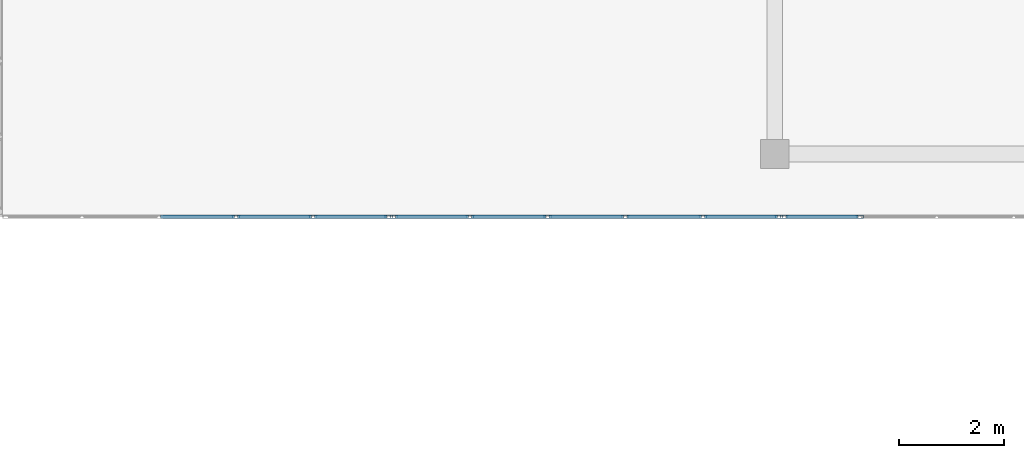
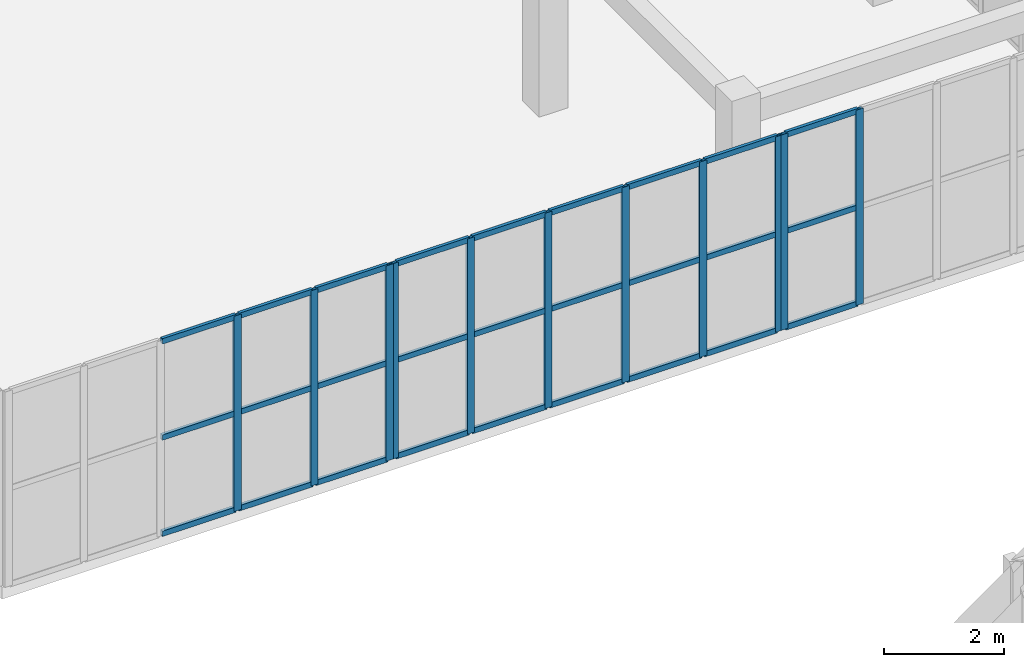
# One storey, part 41 of 140: 38 members, 3 elements without a shape of their own.
"""IFC4 building model written with IfcOpenShell, lengths in metres."""

from ifc_helpers import new_model, si_unit, direction, frame, origin, origin_2d, place, context, subcontext, project, spatial, hollow_rectangle, extrude, material, layer, layer_set, material_profile, profile_set, type_object, element, aggregate, save


model = new_model("IFC4")

# Units and contexts
model_context = context("Model", 3, precision=1e-05, world=origin(), true_north=direction((0.0, 1.0)))
body_context = subcontext(model_context, "Body", "Model", "MODEL_VIEW")
ifc_project = project(units=[si_unit("LENGTHUNIT", "METRE"), si_unit("AREAUNIT", "SQUARE_METRE"), si_unit("VOLUMEUNIT", "CUBIC_METRE"), si_unit("PLANEANGLEUNIT", "RADIAN"), si_unit("MASSUNIT", "GRAM", prefix="KILO")], contexts=[model_context])

# Site, building, storey
site_placement = place(None, origin())
site = spatial("IfcSite", under=ifc_project, at=site_placement, CompositionType="ELEMENT")
building_placement = place(site_placement, origin())
building = spatial("IfcBuilding", under=site, at=building_placement, Name="Trelvath General Hospital", CompositionType="ELEMENT")
storey_placement = place(building_placement, frame((0.0, 0.0, 16.199951171875)))
storey = spatial("IfcBuildingStorey", under=building, at=storey_placement, Name="L04", CompositionType="ELEMENT", Elevation=16.199951171875)

# Curtain wall, members
ifc_material_1 = material(Name="Anodised aluminium and low-E glass", Category="aluminium")
ifc_layer_1 = layer(ifc_material_1, 0.139892578125)
ifc_layer_set_1 = layer_set([ifc_layer_1], Name="Anodised aluminium and low-E glass")
curtain_wall_type_1 = type_object("IfcCurtainWallType", Name="CW CrystalCube 737 396 14", PredefinedType="USERDEFINED", material=ifc_layer_set_1)
curtain_wall_1_placement = place(storey_placement, origin())
curtain_wall_1 = element("IfcCurtainWall", 1, at=curtain_wall_1_placement, inside=storey, type_object=curtain_wall_type_1, Name="Crystal Cube Curtain Wall CUBE-E-T1 S1 L04", ObjectType="Unitised Glazed Curtain Wall", PredefinedType="USERDEFINED")
ifc_material_2 = material(Name="Anodised aluminium", Category="aluminium")
ifc_material_profile_1 = material_profile(ifc_material_2, hollow_rectangle(XDim=0.06005859375, YDim=0.139892578125, WallThickness=0.00390625, at=origin_2d()), Name="RHS60x140x4")
ifc_profile_set_1 = profile_set([ifc_material_profile_1], Name="Anodised aluminium")
member_type_1 = type_object("IfcMemberType", Name="CurtainMullion 60x140", PredefinedType="MULLION", material=ifc_profile_set_1)
member_1_placement = place(storey_placement, frame((99.816650390625, 37.199951171875, 0.0), z_axis=(0.0, 0.0, 1.0), x_axis=(0.0, -1.0, 0.0)))
member_1 = element("IfcMember", 2, at=member_1_placement, type_object=member_type_1, Name="CW-282 mullion 1", PredefinedType="MULLION", context=body_context, shape_type="SweptSolid", body=[
    extrude(hollow_rectangle(XDim=0.06005859375, YDim=0.139892578125, WallThickness=0.00390625, at=origin_2d()), origin(), (0.0, 0.0, 1.0), 3.9599609375),
])
member_2_placement = place(storey_placement, frame((98.373291015625, 37.199951171875, 0.0), z_axis=(0.0, 0.0, 1.0), x_axis=(0.0, -1.0, 0.0)))
member_2 = element("IfcMember", 3, at=member_2_placement, type_object=member_type_1, Name="CW-282 mullion 2", PredefinedType="MULLION", context=body_context, shape_type="SweptSolid", body=[
    extrude(hollow_rectangle(XDim=0.06005859375, YDim=0.139892578125, WallThickness=0.00390625, at=origin_2d()), origin(), (0.0, 0.0, 1.0), 3.9599609375),
])
member_3_placement = place(storey_placement, frame((96.89990234375, 37.199951171875, 0.0), z_axis=(0.0, 0.0, 1.0), x_axis=(0.0, -1.0, 0.0)))
member_3 = element("IfcMember", 4, at=member_3_placement, type_object=member_type_1, Name="CW-282 mullion 3", PredefinedType="MULLION", context=body_context, shape_type="SweptSolid", body=[
    extrude(hollow_rectangle(XDim=0.06005859375, YDim=0.139892578125, WallThickness=0.00390625, at=origin_2d()), origin(), (0.0, 0.0, 1.0), 3.9599609375),
])

ifc_material_3 = material(Name="Anodised aluminium and low-E glass", Category="aluminium")
ifc_layer_2 = layer(ifc_material_3, 0.139892578125)
ifc_layer_set_2 = layer_set([ifc_layer_2], Name="Anodised aluminium and low-E glass")
curtain_wall_type_2 = type_object("IfcCurtainWallType", Name="CW CrystalCube 743 396 14", PredefinedType="USERDEFINED", material=ifc_layer_set_2)
curtain_wall_2_placement = place(storey_placement, origin())
curtain_wall_2 = element("IfcCurtainWall", 5, at=curtain_wall_2_placement, inside=storey, type_object=curtain_wall_type_2, Name="Crystal Cube Curtain Wall CUBE-E-T1 S2 L04", ObjectType="Unitised Glazed Curtain Wall", PredefinedType="USERDEFINED")
member_4_placement = place(storey_placement, frame((107.283203125, 37.199951171875, 0.0), z_axis=(0.0, 0.0, 1.0), x_axis=(0.0, -1.0, 0.0)))
member_4 = element("IfcMember", 6, at=member_4_placement, type_object=member_type_1, Name="CW-283 mullion 1", PredefinedType="MULLION", context=body_context, shape_type="SweptSolid", body=[
    extrude(hollow_rectangle(XDim=0.06005859375, YDim=0.139892578125, WallThickness=0.00390625, at=origin_2d()), origin(), (0.0, 0.0, 1.0), 3.9599609375),
])
member_5_placement = place(storey_placement, frame((105.827880859375, 37.199951171875, 0.0), z_axis=(0.0, 0.0, 1.0), x_axis=(0.0, -1.0, 0.0)))
member_5 = element("IfcMember", 7, at=member_5_placement, type_object=member_type_1, Name="CW-283 mullion 2", PredefinedType="MULLION", context=body_context, shape_type="SweptSolid", body=[
    extrude(hollow_rectangle(XDim=0.06005859375, YDim=0.139892578125, WallThickness=0.00390625, at=origin_2d()), origin(), (0.0, 0.0, 1.0), 3.9599609375),
])
member_6_placement = place(storey_placement, frame((104.3427734375, 37.199951171875, 0.0), z_axis=(0.0, 0.0, 1.0), x_axis=(0.0, -1.0, 0.0)))
member_6 = element("IfcMember", 8, at=member_6_placement, type_object=member_type_1, Name="CW-283 mullion 3", PredefinedType="MULLION", context=body_context, shape_type="SweptSolid", body=[
    extrude(hollow_rectangle(XDim=0.06005859375, YDim=0.139892578125, WallThickness=0.00390625, at=origin_2d()), origin(), (0.0, 0.0, 1.0), 3.9599609375),
])
member_7_placement = place(storey_placement, frame((102.857421875, 37.199951171875, 0.0), z_axis=(0.0, 0.0, 1.0), x_axis=(0.0, -1.0, 0.0)))
member_7 = element("IfcMember", 9, at=member_7_placement, type_object=member_type_1, Name="CW-283 mullion 4", PredefinedType="MULLION", context=body_context, shape_type="SweptSolid", body=[
    extrude(hollow_rectangle(XDim=0.06005859375, YDim=0.139892578125, WallThickness=0.00390625, at=origin_2d()), origin(), (0.0, 0.0, 1.0), 3.9599609375),
])
member_8_placement = place(storey_placement, frame((101.3720703125, 37.199951171875, 0.0), z_axis=(0.0, 0.0, 1.0), x_axis=(0.0, -1.0, 0.0)))
member_8 = element("IfcMember", 10, at=member_8_placement, type_object=member_type_1, Name="CW-283 mullion 5", PredefinedType="MULLION", context=body_context, shape_type="SweptSolid", body=[
    extrude(hollow_rectangle(XDim=0.06005859375, YDim=0.139892578125, WallThickness=0.00390625, at=origin_2d()), origin(), (0.0, 0.0, 1.0), 3.9599609375),
])
member_9_placement = place(storey_placement, frame((99.916748046875, 37.199951171875, 0.0), z_axis=(0.0, 0.0, 1.0), x_axis=(0.0, -1.0, 0.0)))
member_9 = element("IfcMember", 11, at=member_9_placement, type_object=member_type_1, Name="CW-283 mullion 6", PredefinedType="MULLION", context=body_context, shape_type="SweptSolid", body=[
    extrude(hollow_rectangle(XDim=0.06005859375, YDim=0.139892578125, WallThickness=0.00390625, at=origin_2d()), origin(), (0.0, 0.0, 1.0), 3.9599609375),
])

curtain_wall_3_placement = place(storey_placement, origin())
curtain_wall_3 = element("IfcCurtainWall", 12, at=curtain_wall_3_placement, inside=storey, type_object=curtain_wall_type_1, Name="Crystal Cube Curtain Wall CUBE-E-T1 S3 L04", ObjectType="Unitised Glazed Curtain Wall", PredefinedType="USERDEFINED")
member_10_placement = place(storey_placement, frame((108.82666015625, 37.199951171875, 0.0), z_axis=(0.0, 0.0, 1.0), x_axis=(0.0, -1.0, 0.0)))
member_10 = element("IfcMember", 13, at=member_10_placement, type_object=member_type_1, Name="CW-284 mullion 5", PredefinedType="MULLION", context=body_context, shape_type="SweptSolid", body=[
    extrude(hollow_rectangle(XDim=0.06005859375, YDim=0.139892578125, WallThickness=0.00390625, at=origin_2d()), origin(), (0.0, 0.0, 1.0), 3.9599609375),
])
member_11_placement = place(storey_placement, frame((107.38330078125, 37.199951171875, 0.0), z_axis=(0.0, 0.0, 1.0), x_axis=(0.0, -1.0, 0.0)))
member_11 = element("IfcMember", 14, at=member_11_placement, type_object=member_type_1, Name="CW-284 mullion 6", PredefinedType="MULLION", context=body_context, shape_type="SweptSolid", body=[
    extrude(hollow_rectangle(XDim=0.06005859375, YDim=0.139892578125, WallThickness=0.00390625, at=origin_2d()), origin(), (0.0, 0.0, 1.0), 3.9599609375),
])

# Member
ifc_material_4 = material(Name="Anodised aluminium", Category="aluminium")
ifc_material_profile_2 = material_profile(ifc_material_4, hollow_rectangle(XDim=0.06005859375, YDim=0.110107421875, WallThickness=0.00390625, at=origin_2d()), Name="RHS60x110x4")
ifc_profile_set_2 = profile_set([ifc_material_profile_2], Name="Anodised aluminium")
member_type_2 = type_object("IfcMemberType", Name="CurtainTransom 60x110", PredefinedType="USERDEFINED", material=ifc_profile_set_2)
member_12_placement = place(storey_placement, frame((99.78662109375, 37.199951171875, 0.030029296875), z_axis=(-1.0, 0.0, 0.0), x_axis=(0.0, -1.0, 0.0)))
member_12 = element("IfcMember", 15, at=member_12_placement, type_object=member_type_2, Name="CW-282 transom 1.1", ObjectType="TRANSOM", PredefinedType="USERDEFINED", context=body_context, shape_type="SweptSolid", body=[
    extrude(hollow_rectangle(XDim=0.06005859375, YDim=0.110107421875, WallThickness=0.00390625, at=origin_2d()), origin(), (0.0, 0.0, 1.0), 1.38330078125),
])

member_13_placement = place(storey_placement, frame((99.78662109375, 37.199951171875, 1.97998046875), z_axis=(-1.0, 0.0, 0.0), x_axis=(0.0, -1.0, 0.0)))
member_13 = element("IfcMember", 16, at=member_13_placement, type_object=member_type_2, Name="CW-282 transom 1.2", ObjectType="TRANSOM", PredefinedType="USERDEFINED", context=body_context, shape_type="SweptSolid", body=[
    extrude(hollow_rectangle(XDim=0.06005859375, YDim=0.110107421875, WallThickness=0.00390625, at=origin_2d()), origin(), (0.0, 0.0, 1.0), 1.38330078125),
])

member_14_placement = place(storey_placement, frame((99.78662109375, 37.199951171875, 3.929931640625), z_axis=(-1.0, 0.0, 0.0), x_axis=(0.0, -1.0, 0.0)))
member_14 = element("IfcMember", 17, at=member_14_placement, type_object=member_type_2, Name="CW-282 transom 1.3", ObjectType="TRANSOM", PredefinedType="USERDEFINED", context=body_context, shape_type="SweptSolid", body=[
    extrude(hollow_rectangle(XDim=0.06005859375, YDim=0.110107421875, WallThickness=0.00390625, at=origin_2d()), origin(), (0.0, 0.0, 1.0), 1.38330078125),
])

member_15_placement = place(storey_placement, frame((98.34326171875, 37.199951171875, 0.030029296875), z_axis=(-1.0, 0.0, 0.0), x_axis=(0.0, -1.0, 0.0)))
member_15 = element("IfcMember", 18, at=member_15_placement, type_object=member_type_2, Name="CW-282 transom 2.1", ObjectType="TRANSOM", PredefinedType="USERDEFINED", context=body_context, shape_type="SweptSolid", body=[
    extrude(hollow_rectangle(XDim=0.06005859375, YDim=0.110107421875, WallThickness=0.00390625, at=origin_2d()), origin(), (0.0, 0.0, 1.0), 1.413330078125),
])

member_16_placement = place(storey_placement, frame((98.34326171875, 37.199951171875, 1.97998046875), z_axis=(-1.0, 0.0, 0.0), x_axis=(0.0, -1.0, 0.0)))
member_16 = element("IfcMember", 19, at=member_16_placement, type_object=member_type_2, Name="CW-282 transom 2.2", ObjectType="TRANSOM", PredefinedType="USERDEFINED", context=body_context, shape_type="SweptSolid", body=[
    extrude(hollow_rectangle(XDim=0.06005859375, YDim=0.110107421875, WallThickness=0.00390625, at=origin_2d()), origin(), (0.0, 0.0, 1.0), 1.413330078125),
])

member_17_placement = place(storey_placement, frame((98.34326171875, 37.199951171875, 3.929931640625), z_axis=(-1.0, 0.0, 0.0), x_axis=(0.0, -1.0, 0.0)))
member_17 = element("IfcMember", 20, at=member_17_placement, type_object=member_type_2, Name="CW-282 transom 2.3", ObjectType="TRANSOM", PredefinedType="USERDEFINED", context=body_context, shape_type="SweptSolid", body=[
    extrude(hollow_rectangle(XDim=0.06005859375, YDim=0.110107421875, WallThickness=0.00390625, at=origin_2d()), origin(), (0.0, 0.0, 1.0), 1.413330078125),
])

member_18_placement = place(storey_placement, frame((96.8701171875, 37.199951171875, 0.030029296875), z_axis=(-1.0, 0.0, 0.0), x_axis=(0.0, -1.0, 0.0)))
member_18 = element("IfcMember", 21, at=member_18_placement, type_object=member_type_2, Name="CW-282 transom 3.1", ObjectType="TRANSOM", PredefinedType="USERDEFINED", context=body_context, shape_type="SweptSolid", body=[
    extrude(hollow_rectangle(XDim=0.06005859375, YDim=0.110107421875, WallThickness=0.00390625, at=origin_2d()), origin(), (0.0, 0.0, 1.0), 1.413330078125),
])

member_19_placement = place(storey_placement, frame((96.8701171875, 37.199951171875, 1.97998046875), z_axis=(-1.0, 0.0, 0.0), x_axis=(0.0, -1.0, 0.0)))
member_19 = element("IfcMember", 22, at=member_19_placement, type_object=member_type_2, Name="CW-282 transom 3.2", ObjectType="TRANSOM", PredefinedType="USERDEFINED", context=body_context, shape_type="SweptSolid", body=[
    extrude(hollow_rectangle(XDim=0.06005859375, YDim=0.110107421875, WallThickness=0.00390625, at=origin_2d()), origin(), (0.0, 0.0, 1.0), 1.413330078125),
])

member_20_placement = place(storey_placement, frame((96.8701171875, 37.199951171875, 3.929931640625), z_axis=(-1.0, 0.0, 0.0), x_axis=(0.0, -1.0, 0.0)))
member_20 = element("IfcMember", 23, at=member_20_placement, type_object=member_type_2, Name="CW-282 transom 3.3", ObjectType="TRANSOM", PredefinedType="USERDEFINED", context=body_context, shape_type="SweptSolid", body=[
    extrude(hollow_rectangle(XDim=0.06005859375, YDim=0.110107421875, WallThickness=0.00390625, at=origin_2d()), origin(), (0.0, 0.0, 1.0), 1.413330078125),
])

aggregate(curtain_wall_1, [member_1, member_2, member_3, member_12, member_13, member_14, member_15, member_16, member_17, member_18, member_19, member_20])

member_21_placement = place(storey_placement, frame((107.25341796875, 37.199951171875, 0.030029296875), z_axis=(-1.0, 0.0, 0.0), x_axis=(0.0, -1.0, 0.0)))
member_21 = element("IfcMember", 24, at=member_21_placement, type_object=member_type_2, Name="CW-283 transom 1.1", ObjectType="TRANSOM", PredefinedType="USERDEFINED", context=body_context, shape_type="SweptSolid", body=[
    extrude(hollow_rectangle(XDim=0.06005859375, YDim=0.110107421875, WallThickness=0.00390625, at=origin_2d()), origin(), (0.0, 0.0, 1.0), 1.3955078125),
])

member_22_placement = place(storey_placement, frame((107.25341796875, 37.199951171875, 1.97998046875), z_axis=(-1.0, 0.0, 0.0), x_axis=(0.0, -1.0, 0.0)))
member_22 = element("IfcMember", 25, at=member_22_placement, type_object=member_type_2, Name="CW-283 transom 1.2", ObjectType="TRANSOM", PredefinedType="USERDEFINED", context=body_context, shape_type="SweptSolid", body=[
    extrude(hollow_rectangle(XDim=0.06005859375, YDim=0.110107421875, WallThickness=0.00390625, at=origin_2d()), origin(), (0.0, 0.0, 1.0), 1.3955078125),
])

member_23_placement = place(storey_placement, frame((107.25341796875, 37.199951171875, 3.929931640625), z_axis=(-1.0, 0.0, 0.0), x_axis=(0.0, -1.0, 0.0)))
member_23 = element("IfcMember", 26, at=member_23_placement, type_object=member_type_2, Name="CW-283 transom 1.3", ObjectType="TRANSOM", PredefinedType="USERDEFINED", context=body_context, shape_type="SweptSolid", body=[
    extrude(hollow_rectangle(XDim=0.06005859375, YDim=0.110107421875, WallThickness=0.00390625, at=origin_2d()), origin(), (0.0, 0.0, 1.0), 1.3955078125),
])

member_24_placement = place(storey_placement, frame((105.798095703125, 37.199951171875, 0.030029296875), z_axis=(-1.0, 0.0, 0.0), x_axis=(0.0, -1.0, 0.0)))
member_24 = element("IfcMember", 27, at=member_24_placement, type_object=member_type_2, Name="CW-283 transom 2.1", ObjectType="TRANSOM", PredefinedType="USERDEFINED", context=body_context, shape_type="SweptSolid", body=[
    extrude(hollow_rectangle(XDim=0.06005859375, YDim=0.110107421875, WallThickness=0.00390625, at=origin_2d()), origin(), (0.0, 0.0, 1.0), 1.425537109375),
])

member_25_placement = place(storey_placement, frame((105.798095703125, 37.199951171875, 1.97998046875), z_axis=(-1.0, 0.0, 0.0), x_axis=(0.0, -1.0, 0.0)))
member_25 = element("IfcMember", 28, at=member_25_placement, type_object=member_type_2, Name="CW-283 transom 2.2", ObjectType="TRANSOM", PredefinedType="USERDEFINED", context=body_context, shape_type="SweptSolid", body=[
    extrude(hollow_rectangle(XDim=0.06005859375, YDim=0.110107421875, WallThickness=0.00390625, at=origin_2d()), origin(), (0.0, 0.0, 1.0), 1.425537109375),
])

member_26_placement = place(storey_placement, frame((105.798095703125, 37.199951171875, 3.929931640625), z_axis=(-1.0, 0.0, 0.0), x_axis=(0.0, -1.0, 0.0)))
member_26 = element("IfcMember", 29, at=member_26_placement, type_object=member_type_2, Name="CW-283 transom 2.3", ObjectType="TRANSOM", PredefinedType="USERDEFINED", context=body_context, shape_type="SweptSolid", body=[
    extrude(hollow_rectangle(XDim=0.06005859375, YDim=0.110107421875, WallThickness=0.00390625, at=origin_2d()), origin(), (0.0, 0.0, 1.0), 1.425537109375),
])

member_27_placement = place(storey_placement, frame((104.312744140625, 37.199951171875, 0.030029296875), z_axis=(-1.0, 0.0, 0.0), x_axis=(0.0, -1.0, 0.0)))
member_27 = element("IfcMember", 30, at=member_27_placement, type_object=member_type_2, Name="CW-283 transom 3.1", ObjectType="TRANSOM", PredefinedType="USERDEFINED", context=body_context, shape_type="SweptSolid", body=[
    extrude(hollow_rectangle(XDim=0.06005859375, YDim=0.110107421875, WallThickness=0.00390625, at=origin_2d()), origin(), (0.0, 0.0, 1.0), 1.42529296875),
])

member_28_placement = place(storey_placement, frame((104.312744140625, 37.199951171875, 1.97998046875), z_axis=(-1.0, 0.0, 0.0), x_axis=(0.0, -1.0, 0.0)))
member_28 = element("IfcMember", 31, at=member_28_placement, type_object=member_type_2, Name="CW-283 transom 3.2", ObjectType="TRANSOM", PredefinedType="USERDEFINED", context=body_context, shape_type="SweptSolid", body=[
    extrude(hollow_rectangle(XDim=0.06005859375, YDim=0.110107421875, WallThickness=0.00390625, at=origin_2d()), origin(), (0.0, 0.0, 1.0), 1.42529296875),
])

member_29_placement = place(storey_placement, frame((104.312744140625, 37.199951171875, 3.929931640625), z_axis=(-1.0, 0.0, 0.0), x_axis=(0.0, -1.0, 0.0)))
member_29 = element("IfcMember", 32, at=member_29_placement, type_object=member_type_2, Name="CW-283 transom 3.3", ObjectType="TRANSOM", PredefinedType="USERDEFINED", context=body_context, shape_type="SweptSolid", body=[
    extrude(hollow_rectangle(XDim=0.06005859375, YDim=0.110107421875, WallThickness=0.00390625, at=origin_2d()), origin(), (0.0, 0.0, 1.0), 1.42529296875),
])

member_30_placement = place(storey_placement, frame((102.827392578125, 37.199951171875, 0.030029296875), z_axis=(-1.0, 0.0, 0.0), x_axis=(0.0, -1.0, 0.0)))
member_30 = element("IfcMember", 33, at=member_30_placement, type_object=member_type_2, Name="CW-283 transom 4.1", ObjectType="TRANSOM", PredefinedType="USERDEFINED", context=body_context, shape_type="SweptSolid", body=[
    extrude(hollow_rectangle(XDim=0.06005859375, YDim=0.110107421875, WallThickness=0.00390625, at=origin_2d()), origin(), (0.0, 0.0, 1.0), 1.42529296875),
])

member_31_placement = place(storey_placement, frame((102.827392578125, 37.199951171875, 1.97998046875), z_axis=(-1.0, 0.0, 0.0), x_axis=(0.0, -1.0, 0.0)))
member_31 = element("IfcMember", 34, at=member_31_placement, type_object=member_type_2, Name="CW-283 transom 4.2", ObjectType="TRANSOM", PredefinedType="USERDEFINED", context=body_context, shape_type="SweptSolid", body=[
    extrude(hollow_rectangle(XDim=0.06005859375, YDim=0.110107421875, WallThickness=0.00390625, at=origin_2d()), origin(), (0.0, 0.0, 1.0), 1.42529296875),
])

member_32_placement = place(storey_placement, frame((102.827392578125, 37.199951171875, 3.929931640625), z_axis=(-1.0, 0.0, 0.0), x_axis=(0.0, -1.0, 0.0)))
member_32 = element("IfcMember", 35, at=member_32_placement, type_object=member_type_2, Name="CW-283 transom 4.3", ObjectType="TRANSOM", PredefinedType="USERDEFINED", context=body_context, shape_type="SweptSolid", body=[
    extrude(hollow_rectangle(XDim=0.06005859375, YDim=0.110107421875, WallThickness=0.00390625, at=origin_2d()), origin(), (0.0, 0.0, 1.0), 1.42529296875),
])

member_33_placement = place(storey_placement, frame((101.342041015625, 37.199951171875, 0.030029296875), z_axis=(-1.0, 0.0, 0.0), x_axis=(0.0, -1.0, 0.0)))
member_33 = element("IfcMember", 36, at=member_33_placement, type_object=member_type_2, Name="CW-283 transom 5.1", ObjectType="TRANSOM", PredefinedType="USERDEFINED", context=body_context, shape_type="SweptSolid", body=[
    extrude(hollow_rectangle(XDim=0.06005859375, YDim=0.110107421875, WallThickness=0.00390625, at=origin_2d()), origin(), (0.0, 0.0, 1.0), 1.395263671875),
])

member_34_placement = place(storey_placement, frame((101.342041015625, 37.199951171875, 1.97998046875), z_axis=(-1.0, 0.0, 0.0), x_axis=(0.0, -1.0, 0.0)))
member_34 = element("IfcMember", 37, at=member_34_placement, type_object=member_type_2, Name="CW-283 transom 5.2", ObjectType="TRANSOM", PredefinedType="USERDEFINED", context=body_context, shape_type="SweptSolid", body=[
    extrude(hollow_rectangle(XDim=0.06005859375, YDim=0.110107421875, WallThickness=0.00390625, at=origin_2d()), origin(), (0.0, 0.0, 1.0), 1.395263671875),
])

member_35_placement = place(storey_placement, frame((101.342041015625, 37.199951171875, 3.929931640625), z_axis=(-1.0, 0.0, 0.0), x_axis=(0.0, -1.0, 0.0)))
member_35 = element("IfcMember", 38, at=member_35_placement, type_object=member_type_2, Name="CW-283 transom 5.3", ObjectType="TRANSOM", PredefinedType="USERDEFINED", context=body_context, shape_type="SweptSolid", body=[
    extrude(hollow_rectangle(XDim=0.06005859375, YDim=0.110107421875, WallThickness=0.00390625, at=origin_2d()), origin(), (0.0, 0.0, 1.0), 1.395263671875),
])

aggregate(curtain_wall_2, [member_4, member_5, member_6, member_7, member_8, member_9, member_21, member_22, member_23, member_24, member_25, member_26, member_27, member_28, member_29, member_30, member_31, member_32, member_33, member_34, member_35])

member_36_placement = place(storey_placement, frame((108.796630859375, 37.199951171875, 0.030029296875), z_axis=(-1.0, 0.0, 0.0), x_axis=(0.0, -1.0, 0.0)))
member_36 = element("IfcMember", 39, at=member_36_placement, type_object=member_type_2, Name="CW-284 transom 5.1", ObjectType="TRANSOM", PredefinedType="USERDEFINED", context=body_context, shape_type="SweptSolid", body=[
    extrude(hollow_rectangle(XDim=0.06005859375, YDim=0.110107421875, WallThickness=0.00390625, at=origin_2d()), origin(), (0.0, 0.0, 1.0), 1.38330078125),
])

member_37_placement = place(storey_placement, frame((108.796630859375, 37.199951171875, 1.97998046875), z_axis=(-1.0, 0.0, 0.0), x_axis=(0.0, -1.0, 0.0)))
member_37 = element("IfcMember", 40, at=member_37_placement, type_object=member_type_2, Name="CW-284 transom 5.2", ObjectType="TRANSOM", PredefinedType="USERDEFINED", context=body_context, shape_type="SweptSolid", body=[
    extrude(hollow_rectangle(XDim=0.06005859375, YDim=0.110107421875, WallThickness=0.00390625, at=origin_2d()), origin(), (0.0, 0.0, 1.0), 1.38330078125),
])

member_38_placement = place(storey_placement, frame((108.796630859375, 37.199951171875, 3.929931640625), z_axis=(-1.0, 0.0, 0.0), x_axis=(0.0, -1.0, 0.0)))
member_38 = element("IfcMember", 41, at=member_38_placement, type_object=member_type_2, Name="CW-284 transom 5.3", ObjectType="TRANSOM", PredefinedType="USERDEFINED", context=body_context, shape_type="SweptSolid", body=[
    extrude(hollow_rectangle(XDim=0.06005859375, YDim=0.110107421875, WallThickness=0.00390625, at=origin_2d()), origin(), (0.0, 0.0, 1.0), 1.38330078125),
])

aggregate(curtain_wall_3, [member_10, member_11, member_36, member_37, member_38])

save(model, "model.ifc")
